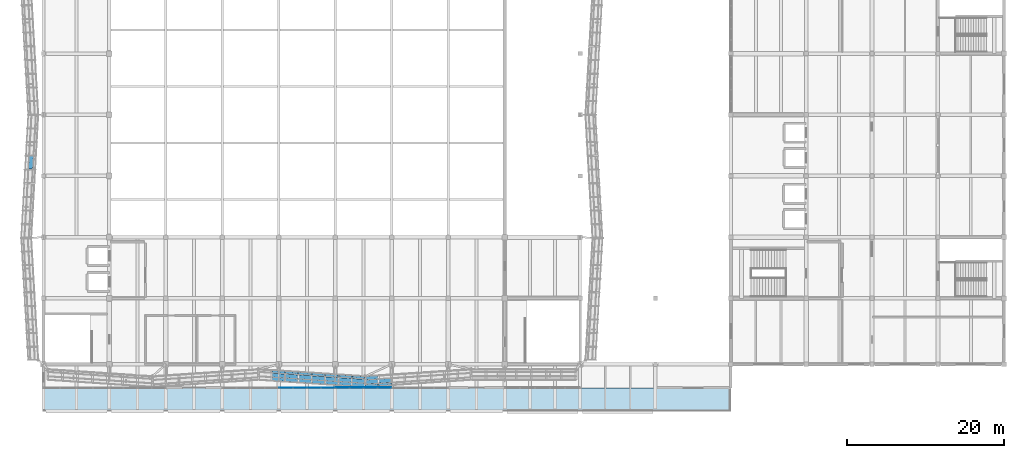
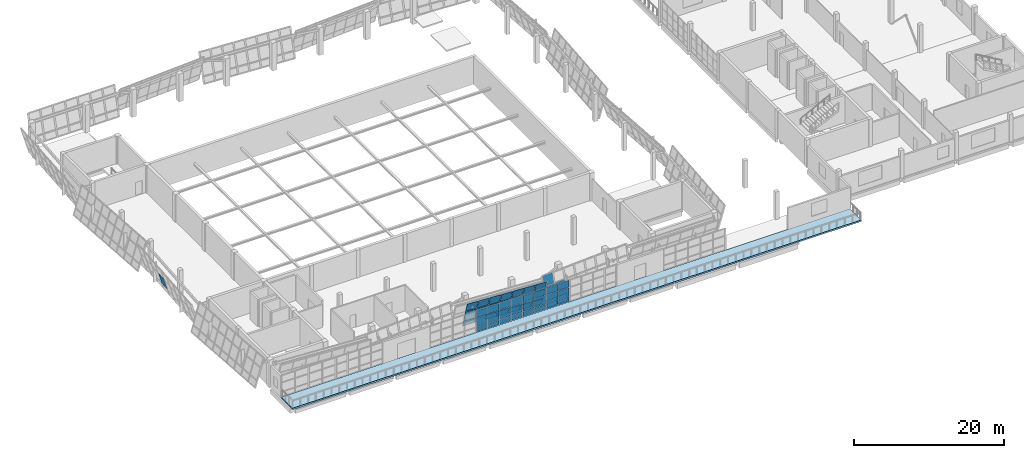
# One storey, part 36 of 67: 51 plates, 1 slab, 5 elements without a shape of their own.
"""IFC4 building model written with IfcOpenShell, lengths in metres."""

from ifc_helpers import new_model, si_unit, direction, frame, origin, place, context, subcontext, project, spatial, polyline, outline, extrude, material, layer, layer_set, type_object, element, aggregate, save


model = new_model("IFC4")

# Units and contexts
model_context = context("Model", 3, precision=1e-05, world=origin(), true_north=direction((0.0, 1.0)))
body_context = subcontext(model_context, "Body", "Model", "MODEL_VIEW")
ifc_project = project(units=[si_unit("LENGTHUNIT", "METRE"), si_unit("AREAUNIT", "SQUARE_METRE"), si_unit("VOLUMEUNIT", "CUBIC_METRE"), si_unit("PLANEANGLEUNIT", "RADIAN"), si_unit("MASSUNIT", "GRAM", prefix="KILO")], contexts=[model_context])

# Site, building, storey
site_placement = place(None, origin())
site = spatial("IfcSite", under=ifc_project, at=site_placement, CompositionType="ELEMENT")
building_placement = place(site_placement, origin())
building = spatial("IfcBuilding", under=site, at=building_placement, Name="Pellamere Symphony Hall", CompositionType="ELEMENT")
storey_placement = place(building_placement, frame((0.0, 0.0, 19.5)))
storey = spatial("IfcBuildingStorey", under=building, at=storey_placement, Name="L04", CompositionType="ELEMENT", Elevation=19.5)

# Curtain wall, plates
ifc_material_1 = material(Name="Thermally Broken Anodised Aluminium 6063-T6 Curtain Wall", Category="aluminium")
curtain_wall_type_1 = type_object("IfcCurtainWallType", Name="Curtain Wall CW-06 (Belvedere Terrace Clerestory Curtain Wall)", PredefinedType="NOTDEFINED", material=ifc_material_1)
curtain_wall_1_placement = place(storey_placement, origin())
curtain_wall_1 = element("IfcCurtainWall", 1, at=curtain_wall_1_placement, inside=storey, type_object=curtain_wall_type_1, Name="Winter-Garden South Curtain Wall (L04 Bay 5)", PredefinedType="NOTDEFINED")
ifc_material_2 = material(Name="Triple Low-E Argon Acoustic Glazing 36mm", Category="glass")
ifc_layer_1 = layer(ifc_material_2, 0.035888671875, Name="Triple Low-E Argon Acoustic Glazing 36mm")
ifc_layer_set_1 = layer_set([ifc_layer_1], Name="Triple Low-E Argon Acoustic Glazing 36mm")
plate_type_1 = type_object("IfcPlateType", Name="Facade Panel GL-01 36mm", PredefinedType="CURTAIN_PANEL", material=ifc_layer_set_1)
plate_1_placement = place(storey_placement, frame((80.465087890625, 27.0, 0.06494140625), z_axis=(0.0, -1.0, 0.0), x_axis=(1.0, 0.0, 0.0)))
plate_1 = element("IfcPlate", 2, at=plate_1_placement, type_object=plate_type_1, Name="CW2-098 crystal glass panel 1.1", PredefinedType="CURTAIN_PANEL", context=body_context, shape_type="SweptSolid", body=[
    extrude(outline(polyline([(0.0, 0.0), (1.702392578125, 0.0), (1.702392578125, 0.76123046875), (0.0, 0.76123046875), (0.0, 0.0)])), origin(), (0.0, 0.0, -1.0), 0.035888671875),
])
plate_2_placement = place(storey_placement, frame((80.465087890625, 27.0, 0.89111328125), z_axis=(0.0, -1.0, 0.0), x_axis=(1.0, 0.0, 0.0)))
plate_2 = element("IfcPlate", 3, at=plate_2_placement, type_object=plate_type_1, Name="CW2-098 crystal glass panel 1.2", PredefinedType="CURTAIN_PANEL", context=body_context, shape_type="SweptSolid", body=[
    extrude(outline(polyline([(0.0, 0.0), (1.702392578125, 0.0), (1.702392578125, 1.4375), (0.0, 1.4375), (0.0, 0.0)])), origin(), (0.0, 0.0, -1.0), 0.035888671875),
])
plate_3_placement = place(storey_placement, frame((80.465087890625, 27.0, 2.3935546875), z_axis=(0.0, -1.0, 0.0), x_axis=(1.0, 0.0, 0.0)))
plate_3 = element("IfcPlate", 4, at=plate_3_placement, type_object=plate_type_1, Name="CW2-098 crystal glass panel 1.3", PredefinedType="CURTAIN_PANEL", context=body_context, shape_type="SweptSolid", body=[
    extrude(outline(polyline([(0.0, 0.0), (1.702392578125, 0.0), (1.702392578125, 1.118896484375), (0.0, 1.118896484375), (0.0, 0.0)])), origin(), (0.0, 0.0, -1.0), 0.035888671875),
])
plate_4_placement = place(storey_placement, frame((82.232421875, 27.0, 0.06494140625), z_axis=(0.0, -1.0, 0.0), x_axis=(1.0, 0.0, 0.0)))
plate_4 = element("IfcPlate", 5, at=plate_4_placement, type_object=plate_type_1, Name="CW2-098 crystal glass panel 2.1", PredefinedType="CURTAIN_PANEL", context=body_context, shape_type="SweptSolid", body=[
    extrude(outline(polyline([(0.0, 0.0), (1.735107421875, 0.0), (1.735107421875, 0.76123046875), (0.0, 0.76123046875), (0.0, 0.0)])), origin(), (0.0, 0.0, -1.0), 0.035888671875),
])
plate_5_placement = place(storey_placement, frame((82.232421875, 27.0, 0.89111328125), z_axis=(0.0, -1.0, 0.0), x_axis=(1.0, 0.0, 0.0)))
plate_5 = element("IfcPlate", 6, at=plate_5_placement, type_object=plate_type_1, Name="CW2-098 crystal glass panel 2.2", PredefinedType="CURTAIN_PANEL", context=body_context, shape_type="SweptSolid", body=[
    extrude(outline(polyline([(0.0, 0.0), (1.735107421875, 0.0), (1.735107421875, 1.4375), (0.0, 1.4375), (0.0, 0.0)])), origin(), (0.0, 0.0, -1.0), 0.035888671875),
])
plate_6_placement = place(storey_placement, frame((82.232421875, 27.0, 2.3935546875), z_axis=(0.0, -1.0, 0.0), x_axis=(1.0, 0.0, 0.0)))
plate_6 = element("IfcPlate", 7, at=plate_6_placement, type_object=plate_type_1, Name="CW2-098 crystal glass panel 2.3", PredefinedType="CURTAIN_PANEL", context=body_context, shape_type="SweptSolid", body=[
    extrude(outline(polyline([(0.0, 0.0), (1.735107421875, 0.0), (1.735107421875, 1.118896484375), (0.0, 1.118896484375), (0.0, 0.0)])), origin(), (0.0, 0.0, -1.0), 0.035888671875),
])
plate_7_placement = place(storey_placement, frame((84.032470703125, 27.0, 0.06494140625), z_axis=(0.0, -1.0, 0.0), x_axis=(1.0, 0.0, 0.0)))
plate_7 = element("IfcPlate", 8, at=plate_7_placement, type_object=plate_type_1, Name="CW2-098 crystal glass panel 3.1", PredefinedType="CURTAIN_PANEL", context=body_context, shape_type="SweptSolid", body=[
    extrude(outline(polyline([(0.0, 0.0), (1.735107421875, 0.0), (1.735107421875, 0.76123046875), (0.0, 0.76123046875), (0.0, 0.0)])), origin(), (0.0, 0.0, -1.0), 0.035888671875),
])
plate_8_placement = place(storey_placement, frame((84.032470703125, 27.0, 0.89111328125), z_axis=(0.0, -1.0, 0.0), x_axis=(1.0, 0.0, 0.0)))
plate_8 = element("IfcPlate", 9, at=plate_8_placement, type_object=plate_type_1, Name="CW2-098 crystal glass panel 3.2", PredefinedType="CURTAIN_PANEL", context=body_context, shape_type="SweptSolid", body=[
    extrude(outline(polyline([(0.0, 0.0), (1.735107421875, 0.0), (1.735107421875, 1.4375), (0.0, 1.4375), (0.0, 0.0)])), origin(), (0.0, 0.0, -1.0), 0.035888671875),
])
plate_9_placement = place(storey_placement, frame((84.032470703125, 27.0, 2.3935546875), z_axis=(0.0, -1.0, 0.0), x_axis=(1.0, 0.0, 0.0)))
plate_9 = element("IfcPlate", 10, at=plate_9_placement, type_object=plate_type_1, Name="CW2-098 crystal glass panel 3.3", PredefinedType="CURTAIN_PANEL", context=body_context, shape_type="SweptSolid", body=[
    extrude(outline(polyline([(0.0, 0.0), (1.735107421875, 0.0), (1.735107421875, 1.118896484375), (0.0, 1.118896484375), (0.0, 0.0)])), origin(), (0.0, 0.0, -1.0), 0.035888671875),
])
plate_10_placement = place(storey_placement, frame((85.83251953125, 27.0, 0.06494140625), z_axis=(0.0, -1.0, 0.0), x_axis=(1.0, 0.0, 0.0)))
plate_10 = element("IfcPlate", 11, at=plate_10_placement, type_object=plate_type_1, Name="CW2-098 crystal glass panel 4.1", PredefinedType="CURTAIN_PANEL", context=body_context, shape_type="SweptSolid", body=[
    extrude(outline(polyline([(0.0, 0.0), (1.702392578125, 0.0), (1.702392578125, 0.76123046875), (0.0, 0.76123046875), (0.0, 0.0)])), origin(), (0.0, 0.0, -1.0), 0.035888671875),
])
plate_11_placement = place(storey_placement, frame((85.83251953125, 27.0, 0.89111328125), z_axis=(0.0, -1.0, 0.0), x_axis=(1.0, 0.0, 0.0)))
plate_11 = element("IfcPlate", 12, at=plate_11_placement, type_object=plate_type_1, Name="CW2-098 crystal glass panel 4.2", PredefinedType="CURTAIN_PANEL", context=body_context, shape_type="SweptSolid", body=[
    extrude(outline(polyline([(0.0, 0.0), (1.702392578125, 0.0), (1.702392578125, 1.4375), (0.0, 1.4375), (0.0, 0.0)])), origin(), (0.0, 0.0, -1.0), 0.035888671875),
])
plate_12_placement = place(storey_placement, frame((85.83251953125, 27.0, 2.3935546875), z_axis=(0.0, -1.0, 0.0), x_axis=(1.0, 0.0, 0.0)))
plate_12 = element("IfcPlate", 13, at=plate_12_placement, type_object=plate_type_1, Name="CW2-098 crystal glass panel 4.3", PredefinedType="CURTAIN_PANEL", context=body_context, shape_type="SweptSolid", body=[
    extrude(outline(polyline([(0.0, 0.0), (1.702392578125, 0.0), (1.702392578125, 1.118896484375), (0.0, 1.118896484375), (0.0, 0.0)])), origin(), (0.0, 0.0, -1.0), 0.035888671875),
])
aggregate(curtain_wall_1, [plate_1, plate_2, plate_3, plate_4, plate_5, plate_6, plate_7, plate_8, plate_9, plate_10, plate_11, plate_12])

curtain_wall_type_2 = type_object("IfcCurtainWallType", Name="Curtain Wall CW-01 (Tilted Faceted Crystal Low-Iron Curtain Wall)", PredefinedType="NOTDEFINED", material=ifc_material_1)
curtain_wall_2_placement = place(storey_placement, origin())
curtain_wall_2 = element("IfcCurtainWall", 14, at=curtain_wall_2_placement, inside=storey, type_object=curtain_wall_type_2, Name="Crystal Faceted Curtain Wall CW-CR04 (L04)", PredefinedType="NOTDEFINED")
ifc_material_3 = material(Name="Triple Laminated Acoustic Crystal Glazing 42mm", Category="glass")
ifc_layer_2 = layer(ifc_material_3, 0.0419921875, Name="Triple Laminated Acoustic Crystal Glazing 42mm")
ifc_layer_set_2 = layer_set([ifc_layer_2], Name="Triple Laminated Acoustic Crystal Glazing 42mm")
plate_type_2 = type_object("IfcPlateType", Name="Facade Panel GL-02 42mm", PredefinedType="CURTAIN_PANEL", material=ifc_layer_set_2)
plate_13_placement = place(storey_placement, frame((91.474853515625, 27.143310546875, 0.072021484375), z_axis=(0.063844090226, -0.956845691375, 0.283496481531), x_axis=(0.997781805309, 0.066569276349, -2.0975043e-05)))
plate_13 = element("IfcPlate", 15, at=plate_13_placement, type_object=plate_type_2, Name="CW1-004 crystal glass panel 1.1", PredefinedType="CURTAIN_PANEL", context=body_context, shape_type="SweptSolid", body=[
    extrude(outline(polyline([(0.0, 0.0), (1.5786896964565678, 0.0), (1.5978469826982709, 1.0135395501920235), (0.01914103397696952, 1.0134704903848277), (0.0, 0.0)])), origin(), (0.0, 0.0, -1.0), 0.0419921875),
])
plate_14_placement = place(storey_placement, frame((91.474853515625, 27.45263671875, 1.115966796875), z_axis=(0.063771203847, -0.95686466795, 0.283448832751), x_axis=(0.997786526209, 0.066498482063, 0.0)))
plate_14 = element("IfcPlate", 16, at=plate_14_placement, type_object=plate_type_2, Name="CW1-004 crystal glass panel 1.2", PredefinedType="CURTAIN_PANEL", context=body_context, shape_type="SweptSolid", body=[
    extrude(outline(polyline([(0.0, 0.0), (1.578689700777497, 0.0), (1.6145040688025716, 1.8958698598826869), (0.03581436802507452, 1.8958698598826869), (0.0, 0.0)])), origin(), (0.0, 0.0, -1.0), 0.0419921875),
])
plate_15_placement = place(storey_placement, frame((91.474853515625, 28.012451171875, 3.005859375), z_axis=(0.0638451148, -0.956861046897, 0.28344441827), x_axis=(0.997781805158, 0.066569278622, -2.0971528e-05)))
plate_15 = element("IfcPlate", 17, at=plate_15_placement, type_object=plate_type_2, Name="CW1-004 crystal glass panel 1.3", PredefinedType="CURTAIN_PANEL", context=body_context, shape_type="SweptSolid", body=[
    extrude(outline(polyline([(0.0, 0.0), (1.5786896964564288, -3.469446951953614e-18), (1.6067112823335943, 1.4829714744230782), (0.02800533361187704, 1.4829024272985047), (0.0, 0.0)])), origin(), (0.0, 0.0, -1.0), 0.0419921875),
])
plate_16_placement = place(storey_placement, frame((93.125, 27.25341796875, 0.072021484375), z_axis=(0.063744012611, -0.956884552951, 0.283387814099), x_axis=(0.997788498757, 0.06646887804, 0.0)))
plate_16 = element("IfcPlate", 18, at=plate_16_placement, type_object=plate_type_2, Name="CW1-004 crystal glass panel 2.1", PredefinedType="CURTAIN_PANEL", context=body_context, shape_type="SweptSolid", body=[
    extrude(outline(polyline([(0.0, 0.0), (1.616122885895694, -3.469446951953614e-18), (1.6352554071869476, 1.0134706578556791), (0.019132521291253642, 1.0134706578556791), (0.0, 0.0)])), origin(), (0.0, 0.0, -1.0), 0.0419921875),
])
plate_17_placement = place(storey_placement, frame((93.125, 27.5625, 1.115966796875), z_axis=(0.063887083219, -0.956857561593, 0.283446727659), x_axis=(0.997778468566, 0.06661927398, 0.0)))
plate_17 = element("IfcPlate", 19, at=plate_17_placement, type_object=plate_type_2, Name="CW1-004 crystal glass panel 2.2", PredefinedType="CURTAIN_PANEL", context=body_context, shape_type="SweptSolid", body=[
    extrude(outline(polyline([(0.0, 0.0), (1.6161391320080933, 0.0), (1.6520185554455487, 1.8958686298218108), (0.03587942343745519, 1.8958686298218108), (0.0, 0.0)])), origin(), (0.0, 0.0, -1.0), 0.0419921875),
])
aggregate(curtain_wall_2, [plate_13, plate_14, plate_15, plate_16, plate_17])

curtain_wall_3_placement = place(storey_placement, origin())
curtain_wall_3 = element("IfcCurtainWall", 20, at=curtain_wall_3_placement, inside=storey, type_object=curtain_wall_type_2, Name="Crystal Faceted Curtain Wall CW-CR03 (L04)", PredefinedType="NOTDEFINED")
ifc_material_4 = material(Name="Vacuum-Insulated Bronze-Anodised Aluminium Spandrel Panel", Category="aluminium")
ifc_layer_3 = layer(ifc_material_4, 0.06494140625, Name="Vacuum-Insulated Bronze-Anodised Aluminium Spandrel Panel")
ifc_layer_set_3 = layer_set([ifc_layer_3], Name="Vacuum-Insulated Bronze-Anodised Aluminium Spandrel Panel")
plate_type_3 = type_object("IfcPlateType", Name="Facade Panel SP-01 65mm", PredefinedType="CURTAIN_PANEL", material=ifc_layer_set_3)
plate_18_placement = place(storey_placement, frame((79.537353515625, 29.213623046875, 0.072021484375), z_axis=(0.063317514813, 0.956877857224, 0.283506011704), x_axis=(0.997818262866, -0.066020556476, -2.033123e-05)))
plate_18 = element("IfcPlate", 21, at=plate_18_placement, type_object=plate_type_3, Name="CW1-003 crystal glass panel 2.1", PredefinedType="CURTAIN_PANEL", context=body_context, shape_type="SweptSolid", body=[
    extrude(outline(polyline([(0.0, 0.0), (1.6287903370970371, -6.938893903907228e-18), (1.6477901705969515, -1.0135425140297043), (0.01898371519999343, -1.0134734493901942), (0.0, 0.0)])), origin(), (0.0, 0.0, -1.0), 0.06494140625),
])
plate_19_placement = place(storey_placement, frame((79.537353515625, 28.904541015625, 1.115966796875), z_axis=(0.063390053523, 0.956887950799, 0.283455729752), x_axis=(0.9978129259, -0.066101171747, 0.0)))
plate_19 = element("IfcPlate", 22, at=plate_19_placement, type_object=plate_type_3, Name="CW1-003 crystal glass panel 2.2", PredefinedType="CURTAIN_PANEL", context=body_context, shape_type="SweptSolid", body=[
    extrude(outline(polyline([(0.0, 0.0), (1.6288064610494575, 0.0), (1.6644068479817382, -1.8958738900620224), (0.03560038693228082, -1.8958738900620224), (0.0, 0.0)])), origin(), (0.0, 0.0, -1.0), 0.06494140625),
])
plate_20_placement = place(storey_placement, frame((79.537353515625, 28.344482421875, 3.005859375), z_axis=(0.063318531004, 0.956893214294, 0.283453946998), x_axis=(0.99781826272, -0.066020558679, -2.0327822e-05)))
plate_20 = element("IfcPlate", 23, at=plate_20_placement, type_object=plate_type_3, Name="CW1-003 crystal glass panel 2.3", PredefinedType="CURTAIN_PANEL", context=body_context, shape_type="SweptSolid", body=[
    extrude(outline(polyline([(0.0, 0.0), (1.628790337096903, 3.469446951953614e-18), (1.6565816151032986, -1.4829758083304945), (0.027775159705936955, -1.4829067563744196), (0.0, 0.0)])), origin(), (0.0, 0.0, -1.0), 0.06494140625),
])
plate_21_placement = place(storey_placement, frame((81.2373046875, 29.101318359375, 0.072021484375), z_axis=(0.063317514813, 0.956877857224, 0.283506011704), x_axis=(0.997817469146, -0.066032551464, 2.0331029e-05)))
plate_21 = element("IfcPlate", 24, at=plate_21_placement, type_object=plate_type_3, Name="CW1-003 crystal glass panel 3.1", PredefinedType="CURTAIN_PANEL", context=body_context, shape_type="SweptSolid", body=[
    extrude(outline(polyline([(0.0, 0.0), (1.6288064568611973, 3.469446951953614e-18), (1.6478331453379382, -1.0134726435317643), (0.019042809705125566, -1.0135417074877644), (0.0, 0.0)])), origin(), (0.0, 0.0, -1.0), 0.06494140625),
])
plate_22_placement = place(storey_placement, frame((81.2373046875, 28.7919921875, 1.115966796875), z_axis=(0.063390053523, 0.956887950799, 0.283455729752), x_axis=(0.9978129259, -0.066101171747, 0.0)))
plate_22 = element("IfcPlate", 25, at=plate_22_placement, type_object=plate_type_3, Name="CW1-003 crystal glass panel 3.2", PredefinedType="CURTAIN_PANEL", context=body_context, shape_type="SweptSolid", body=[
    extrude(outline(polyline([(0.0, 0.0), (1.6288064610494575, 0.0), (1.6644068479817382, -1.8958738900620224), (0.03560038693228082, -1.8958738900620224), (0.0, 0.0)])), origin(), (0.0, 0.0, -1.0), 0.06494140625),
])
plate_23_placement = place(storey_placement, frame((81.2373046875, 28.232177734375, 3.005859375), z_axis=(0.063318531004, 0.956893214294, 0.283453946998), x_axis=(0.997817469292, -0.066032549261, 2.0327621e-05)))
plate_23 = element("IfcPlate", 26, at=plate_23_placement, type_object=plate_type_3, Name="CW1-003 crystal glass panel 3.3", PredefinedType="CURTAIN_PANEL", context=body_context, shape_type="SweptSolid", body=[
    extrude(outline(polyline([(0.0, 0.0), (1.628806456861063, -6.938893903907228e-18), (1.6566444831961924, -1.4829055775359932), (0.027854147562976436, -1.4829746288086836), (0.0, 0.0)])), origin(), (0.0, 0.0, -1.0), 0.06494140625),
])
plate_24_placement = place(storey_placement, frame((82.9375, 28.98876953125, 0.072021484375), z_axis=(0.063326989514, 0.956877280825, 0.283505840928), x_axis=(0.997816815435, -0.066042428945, 2.0334045e-05)))
plate_24 = element("IfcPlate", 27, at=plate_24_placement, type_object=plate_type_3, Name="CW1-003 crystal glass panel 4.1", PredefinedType="CURTAIN_PANEL", context=body_context, shape_type="SweptSolid", body=[
    extrude(outline(polyline([(0.0, 0.0), (1.628562850269172, 1.0408340855860843e-17), (1.6475923848299434, -1.0134725900960864), (0.019045658200650635, -1.0135416539651436), (0.0, 0.0)])), origin(), (0.0, 0.0, -1.0), 0.06494140625),
])
plate_25_placement = place(storey_placement, frame((82.9375, 28.679443359375, 1.115966796875), z_axis=(0.063256351764, 0.956896084869, 0.28345813928), x_axis=(0.997822148906, -0.065961800709, 0.0)))
plate_25 = element("IfcPlate", 28, at=plate_25_placement, type_object=plate_type_3, Name="CW1-003 crystal glass panel 4.2", PredefinedType="CURTAIN_PANEL", context=body_context, shape_type="SweptSolid", body=[
    extrude(outline(polyline([(0.0, 0.0), (1.6285467322826557, -3.469446951953614e-18), (1.6640720575668082, -1.8958752980700206), (0.03552532528415262, -1.8958752980700206), (0.0, 0.0)])), origin(), (0.0, 0.0, -1.0), 0.06494140625),
])
plate_26_placement = place(storey_placement, frame((82.9375, 28.11962890625, 3.005859375), z_axis=(0.063328005856, 0.956892637868, 0.283453776247), x_axis=(0.997816815581, -0.066042426742, 2.0330637e-05)))
plate_26 = element("IfcPlate", 29, at=plate_26_placement, type_object=plate_type_3, Name="CW1-003 crystal glass panel 4.3", PredefinedType="CURTAIN_PANEL", context=body_context, shape_type="SweptSolid", body=[
    extrude(outline(polyline([(0.0, 0.0), (1.6285628502690375, 3.469446951953614e-18), (1.6564050407214477, -1.482905499358749), (0.027858314091751737, -1.4829745505445109), (0.0, 0.0)])), origin(), (0.0, 0.0, -1.0), 0.06494140625),
])
plate_27_placement = place(storey_placement, frame((84.637451171875, 28.876220703125, 0.072021484375), z_axis=(0.063317514813, 0.956877857224, 0.283506011704), x_axis=(0.997817469146, -0.066032551464, 2.0331029e-05)))
plate_27 = element("IfcPlate", 30, at=plate_27_placement, type_object=plate_type_3, Name="CW1-003 crystal glass panel 5.1", PredefinedType="CURTAIN_PANEL", context=body_context, shape_type="SweptSolid", body=[
    extrude(outline(polyline([(0.0, 0.0), (1.6288064568611973, 3.469446951953614e-18), (1.6478331453379382, -1.0134726435317643), (0.019042809705125566, -1.0135417074877644), (0.0, 0.0)])), origin(), (0.0, 0.0, -1.0), 0.06494140625),
])
plate_28_placement = place(storey_placement, frame((84.637451171875, 28.56689453125, 1.115966796875), z_axis=(0.063246887547, 0.956896659994, 0.283458309648), x_axis=(0.997822801026, -0.065951935174, 0.0)))
plate_28 = element("IfcPlate", 31, at=plate_28_placement, type_object=plate_type_3, Name="CW1-003 crystal glass panel 5.2", PredefinedType="CURTAIN_PANEL", context=body_context, shape_type="SweptSolid", body=[
    extrude(outline(polyline([(0.0, 0.0), (1.628790341285339, 6.938893903907228e-18), (1.6643103532465653, -1.8958753976247777), (0.03552001196122634, -1.8958753976247777), (0.0, 0.0)])), origin(), (0.0, 0.0, -1.0), 0.06494140625),
])
plate_29_placement = place(storey_placement, frame((84.637451171875, 28.007080078125, 3.005859375), z_axis=(0.063318531004, 0.956893214294, 0.283453946998), x_axis=(0.99781826272, -0.066020558679, -2.0327822e-05)))
plate_29 = element("IfcPlate", 32, at=plate_29_placement, type_object=plate_type_3, Name="CW1-003 crystal glass panel 5.3", PredefinedType="CURTAIN_PANEL", context=body_context, shape_type="SweptSolid", body=[
    extrude(outline(polyline([(0.0, 0.0), (1.628790337096903, 3.469446951953614e-18), (1.6565816151032986, -1.4829758083304945), (0.027775159705936955, -1.4829067563744196), (0.0, 0.0)])), origin(), (0.0, 0.0, -1.0), 0.06494140625),
])
plate_30_placement = place(storey_placement, frame((86.33740234375, 28.763671875, 0.072021484375), z_axis=(0.063317514813, 0.956877857224, 0.283506011704), x_axis=(0.997818262866, -0.066020556476, -2.033123e-05)))
plate_30 = element("IfcPlate", 33, at=plate_30_placement, type_object=plate_type_3, Name="CW1-003 crystal glass panel 6.1", PredefinedType="CURTAIN_PANEL", context=body_context, shape_type="SweptSolid", body=[
    extrude(outline(polyline([(0.0, 0.0), (1.6287903370970371, -6.938893903907228e-18), (1.6477901705969515, -1.0135425140297043), (0.01898371519999343, -1.0134734493901942), (0.0, 0.0)])), origin(), (0.0, 0.0, -1.0), 0.06494140625),
])
plate_31_placement = place(storey_placement, frame((86.33740234375, 28.454345703125, 1.115966796875), z_axis=(0.063319624031, 0.956909732511, 0.283397934075), x_axis=(0.997818262564, -0.066020561048, -2.0324156e-05)))
plate_31 = element("IfcPlate", 34, at=plate_31_placement, type_object=plate_type_3, Name="CW1-003 crystal glass panel 6.2", PredefinedType="CURTAIN_PANEL", context=body_context, shape_type="SweptSolid", body=[
    extrude(outline(polyline([(0.0, 0.0), (1.628790337096758, -3.469446951953614e-18), (1.6643103575264884, -1.8958753938676103), (0.03550390212869337, -1.8958063555567923), (0.0, 0.0)])), origin(), (0.0, 0.0, -1.0), 0.06494140625),
])
plate_32_placement = place(storey_placement, frame((86.33740234375, 27.89453125, 3.005859375), z_axis=(0.063318531004, 0.956893214294, 0.283453946998), x_axis=(0.99781826272, -0.066020558679, -2.0327822e-05)))
plate_32 = element("IfcPlate", 35, at=plate_32_placement, type_object=plate_type_3, Name="CW1-003 crystal glass panel 6.3", PredefinedType="CURTAIN_PANEL", context=body_context, shape_type="SweptSolid", body=[
    extrude(outline(polyline([(0.0, 0.0), (1.628790337096903, 3.469446951953614e-18), (1.6565816151032986, -1.4829758083304945), (0.027775159705936955, -1.4829067563744196), (0.0, 0.0)])), origin(), (0.0, 0.0, -1.0), 0.06494140625),
])
plate_33_placement = place(storey_placement, frame((88.037353515625, 28.651123046875, 0.072021484375), z_axis=(0.063317514813, 0.956877857224, 0.283506011704), x_axis=(0.997818262866, -0.066020556476, -2.033123e-05)))
plate_33 = element("IfcPlate", 36, at=plate_33_placement, type_object=plate_type_3, Name="CW1-003 crystal glass panel 7.1", PredefinedType="CURTAIN_PANEL", context=body_context, shape_type="SweptSolid", body=[
    extrude(outline(polyline([(0.0, 0.0), (1.6287903370970371, -6.938893903907228e-18), (1.6477901705969515, -1.0135425140297043), (0.01898371519999343, -1.0134734493901942), (0.0, 0.0)])), origin(), (0.0, 0.0, -1.0), 0.06494140625),
])
plate_34_placement = place(storey_placement, frame((88.037353515625, 28.342041015625, 1.115966796875), z_axis=(0.063390053523, 0.956887950799, 0.283455729752), x_axis=(0.9978129259, -0.066101171747, 0.0)))
plate_34 = element("IfcPlate", 37, at=plate_34_placement, type_object=plate_type_3, Name="CW1-003 crystal glass panel 7.2", PredefinedType="CURTAIN_PANEL", context=body_context, shape_type="SweptSolid", body=[
    extrude(outline(polyline([(0.0, 0.0), (1.6288064610494575, 0.0), (1.6644068479817382, -1.8958738900620224), (0.03560038693228082, -1.8958738900620224), (0.0, 0.0)])), origin(), (0.0, 0.0, -1.0), 0.06494140625),
])
plate_35_placement = place(storey_placement, frame((88.037353515625, 27.781982421875, 3.005859375), z_axis=(0.063318531004, 0.956893214294, 0.283453946998), x_axis=(0.99781826272, -0.066020558679, -2.0327822e-05)))
plate_35 = element("IfcPlate", 38, at=plate_35_placement, type_object=plate_type_3, Name="CW1-003 crystal glass panel 7.3", PredefinedType="CURTAIN_PANEL", context=body_context, shape_type="SweptSolid", body=[
    extrude(outline(polyline([(0.0, 0.0), (1.628790337096903, 3.469446951953614e-18), (1.6565816151032986, -1.4829758083304945), (0.027775159705936955, -1.4829067563744196), (0.0, 0.0)])), origin(), (0.0, 0.0, -1.0), 0.06494140625),
])
plate_36_placement = place(storey_placement, frame((89.7373046875, 28.538818359375, 0.072021484375), z_axis=(0.063335707417, 0.95687675039, 0.283505683769), x_axis=(0.997816204619, -0.066051656808, 2.0809219e-05)))
plate_36 = element("IfcPlate", 39, at=plate_36_placement, type_object=plate_type_3, Name="CW1-003 crystal glass panel 8.1", PredefinedType="CURTAIN_PANEL", context=body_context, shape_type="SweptSolid", body=[
    extrude(outline(polyline([(0.0, 0.0), (1.5913732565734895, 0.0), (1.6104059091309946, -1.0134725315460256), (0.019048778450280347, -1.013541595327129), (0.0, 0.0)])), origin(), (0.0, 0.0, -1.0), 0.06494140625),
])
plate_37_placement = place(storey_placement, frame((89.7373046875, 28.2294921875, 1.115966796875), z_axis=(0.063337817237, 0.956908625567, 0.283397606242), x_axis=(0.997816204929, -0.066051652128, 2.0801979e-05)))
plate_37 = element("IfcPlate", 40, at=plate_37_placement, type_object=plate_type_3, Name="CW1-003 crystal glass panel 8.2", PredefinedType="CURTAIN_PANEL", context=body_context, shape_type="SweptSolid", body=[
    extrude(outline(polyline([(0.0, 0.0), (1.5913732565732042, 6.938893903907228e-18), (1.6269686680180981, -1.8958046395976542), (0.035611537336526826, -1.8958736770503872), (0.0, 0.0)])), origin(), (0.0, 0.0, -1.0), 0.06494140625),
])
plate_38_placement = place(storey_placement, frame((89.7373046875, 27.669677734375, 3.005859375), z_axis=(0.063336723899, 0.956892107407, 0.283453619113), x_axis=(0.997816204768, -0.066051654553, 2.0805731e-05)))
plate_38 = element("IfcPlate", 41, at=plate_38_placement, type_object=plate_type_3, Name="CW1-003 crystal glass panel 8.3", PredefinedType="CURTAIN_PANEL", context=body_context, shape_type="SweptSolid", body=[
    extrude(outline(polyline([(0.0, 0.0), (1.591373256573352, 0.0), (1.6192200088896131, -1.4829054137007727), (0.02786287820848608, -1.482974464798596), (0.0, 0.0)])), origin(), (0.0, 0.0, -1.0), 0.06494140625),
])
aggregate(curtain_wall_3, [plate_18, plate_19, plate_20, plate_21, plate_22, plate_23, plate_24, plate_25, plate_26, plate_27, plate_28, plate_29, plate_30, plate_31, plate_32, plate_33, plate_34, plate_35, plate_36, plate_37, plate_38])

# Curtain wall, plate
curtain_wall_4_placement = place(storey_placement, origin())
curtain_wall_4 = element("IfcCurtainWall", 42, at=curtain_wall_4_placement, inside=storey, type_object=curtain_wall_type_2, Name="Crystal Faceted Curtain Wall CW-CR17 (L04)", PredefinedType="NOTDEFINED")
plate_39_placement = place(storey_placement, frame((49.1171875, 56.529296875, 1.115966796875), z_axis=(0.957371585014, -0.054874932201, 0.283598995104), x_axis=(-0.057224396245, -0.998361341637, 0.0)))
plate_39 = element("IfcPlate", 43, at=plate_39_placement, type_object=plate_type_3, Name="CW1-051 crystal glass panel 4.2", PredefinedType="CURTAIN_PANEL", context=body_context, shape_type="SweptSolid", body=[
    extrude(outline(polyline([(0.0, 0.0), (1.6724182565382377, -3.469446951953614e-18), (1.703237841039485, -1.895957633434831), (0.030819584501247117, -1.895957633434831), (0.0, 0.0)])), origin(), (0.0, 0.0, -1.0), 0.06494140625),
])
aggregate(curtain_wall_4, [plate_39])

# Curtain wall, plates
curtain_wall_5_placement = place(storey_placement, origin())
curtain_wall_5 = element("IfcCurtainWall", 44, at=curtain_wall_5_placement, inside=storey, type_object=curtain_wall_type_1, Name="Winter-Garden South Curtain Wall (L04 Bay 6)", PredefinedType="NOTDEFINED")
ifc_material_5 = material(Name="Mineral-Wool Insulated Dark Zinc Spandrel Panel", Category="aluminium")
ifc_layer_4 = layer(ifc_material_5, 0.054931640625, Name="Mineral-Wool Insulated Dark Zinc Spandrel Panel")
ifc_layer_set_4 = layer_set([ifc_layer_4], Name="Mineral-Wool Insulated Dark Zinc Spandrel Panel")
plate_type_4 = type_object("IfcPlateType", Name="Facade Panel SP-02 55mm", PredefinedType="CURTAIN_PANEL", material=ifc_layer_set_4)
plate_40_placement = place(storey_placement, frame((87.6650390625, 27.0, 0.06494140625), z_axis=(0.0, -1.0, 0.0), x_axis=(1.0, 0.0, 0.0)))
plate_40 = element("IfcPlate", 45, at=plate_40_placement, type_object=plate_type_4, Name="CW2-099 crystal glass panel 1.1", PredefinedType="CURTAIN_PANEL", context=body_context, shape_type="SweptSolid", body=[
    extrude(outline(polyline([(0.0, 0.0), (1.702392578125, 0.0), (1.702392578125, 0.76123046875), (0.0, 0.76123046875), (0.0, 0.0)])), origin(), (0.0, 0.0, -1.0), 0.054931640625),
])
plate_41_placement = place(storey_placement, frame((87.6650390625, 27.0, 0.89111328125), z_axis=(0.0, -1.0, 0.0), x_axis=(1.0, 0.0, 0.0)))
plate_41 = element("IfcPlate", 46, at=plate_41_placement, type_object=plate_type_4, Name="CW2-099 crystal glass panel 1.2", PredefinedType="CURTAIN_PANEL", context=body_context, shape_type="SweptSolid", body=[
    extrude(outline(polyline([(0.0, 0.0), (1.702392578125, 0.0), (1.702392578125, 1.4375), (0.0, 1.4375), (0.0, 0.0)])), origin(), (0.0, 0.0, -1.0), 0.054931640625),
])
plate_42_placement = place(storey_placement, frame((87.6650390625, 27.0, 2.3935546875), z_axis=(0.0, -1.0, 0.0), x_axis=(1.0, 0.0, 0.0)))
plate_42 = element("IfcPlate", 47, at=plate_42_placement, type_object=plate_type_4, Name="CW2-099 crystal glass panel 1.3", PredefinedType="CURTAIN_PANEL", context=body_context, shape_type="SweptSolid", body=[
    extrude(outline(polyline([(0.0, 0.0), (1.702392578125, 0.0), (1.702392578125, 1.118896484375), (0.0, 1.118896484375), (0.0, 0.0)])), origin(), (0.0, 0.0, -1.0), 0.054931640625),
])
plate_43_placement = place(storey_placement, frame((89.4326171875, 27.0, 0.06494140625), z_axis=(0.0, -1.0, 0.0), x_axis=(1.0, 0.0, 0.0)))
plate_43 = element("IfcPlate", 48, at=plate_43_placement, type_object=plate_type_4, Name="CW2-099 crystal glass panel 2.1", PredefinedType="CURTAIN_PANEL", context=body_context, shape_type="SweptSolid", body=[
    extrude(outline(polyline([(0.0, 0.0), (1.73486328125, 0.0), (1.73486328125, 0.76123046875), (0.0, 0.76123046875), (0.0, 0.0)])), origin(), (0.0, 0.0, -1.0), 0.054931640625),
])
plate_44_placement = place(storey_placement, frame((89.4326171875, 27.0, 0.89111328125), z_axis=(0.0, -1.0, 0.0), x_axis=(1.0, 0.0, 0.0)))
plate_44 = element("IfcPlate", 49, at=plate_44_placement, type_object=plate_type_4, Name="CW2-099 crystal glass panel 2.2", PredefinedType="CURTAIN_PANEL", context=body_context, shape_type="SweptSolid", body=[
    extrude(outline(polyline([(0.0, 0.0), (1.73486328125, 0.0), (1.73486328125, 1.4375), (0.0, 1.4375), (0.0, 0.0)])), origin(), (0.0, 0.0, -1.0), 0.054931640625),
])
plate_45_placement = place(storey_placement, frame((89.4326171875, 27.0, 2.3935546875), z_axis=(0.0, -1.0, 0.0), x_axis=(1.0, 0.0, 0.0)))
plate_45 = element("IfcPlate", 50, at=plate_45_placement, type_object=plate_type_4, Name="CW2-099 crystal glass panel 2.3", PredefinedType="CURTAIN_PANEL", context=body_context, shape_type="SweptSolid", body=[
    extrude(outline(polyline([(0.0, 0.0), (1.73486328125, 0.0), (1.73486328125, 1.118896484375), (0.0, 1.118896484375), (0.0, 0.0)])), origin(), (0.0, 0.0, -1.0), 0.054931640625),
])
plate_46_placement = place(storey_placement, frame((91.232421875, 27.0, 0.06494140625), z_axis=(0.0, -1.0, 0.0), x_axis=(1.0, 0.0, 0.0)))
plate_46 = element("IfcPlate", 51, at=plate_46_placement, type_object=plate_type_4, Name="CW2-099 crystal glass panel 3.1", PredefinedType="CURTAIN_PANEL", context=body_context, shape_type="SweptSolid", body=[
    extrude(outline(polyline([(0.0, 0.0), (1.735107421875, 0.0), (1.735107421875, 0.76123046875), (0.0, 0.76123046875), (0.0, 0.0)])), origin(), (0.0, 0.0, -1.0), 0.054931640625),
])
plate_47_placement = place(storey_placement, frame((91.232421875, 27.0, 0.89111328125), z_axis=(0.0, -1.0, 0.0), x_axis=(1.0, 0.0, 0.0)))
plate_47 = element("IfcPlate", 52, at=plate_47_placement, type_object=plate_type_4, Name="CW2-099 crystal glass panel 3.2", PredefinedType="CURTAIN_PANEL", context=body_context, shape_type="SweptSolid", body=[
    extrude(outline(polyline([(0.0, 0.0), (1.735107421875, 0.0), (1.735107421875, 1.4375), (0.0, 1.4375), (0.0, 0.0)])), origin(), (0.0, 0.0, -1.0), 0.054931640625),
])
plate_48_placement = place(storey_placement, frame((91.232421875, 27.0, 2.3935546875), z_axis=(0.0, -1.0, 0.0), x_axis=(1.0, 0.0, 0.0)))
plate_48 = element("IfcPlate", 53, at=plate_48_placement, type_object=plate_type_4, Name="CW2-099 crystal glass panel 3.3", PredefinedType="CURTAIN_PANEL", context=body_context, shape_type="SweptSolid", body=[
    extrude(outline(polyline([(0.0, 0.0), (1.735107421875, 0.0), (1.735107421875, 1.118896484375), (0.0, 1.118896484375), (0.0, 0.0)])), origin(), (0.0, 0.0, -1.0), 0.054931640625),
])
plate_49_placement = place(storey_placement, frame((93.032470703125, 27.0, 0.06494140625), z_axis=(0.0, -1.0, 0.0), x_axis=(1.0, 0.0, 0.0)))
plate_49 = element("IfcPlate", 54, at=plate_49_placement, type_object=plate_type_4, Name="CW2-099 crystal glass panel 4.1", PredefinedType="CURTAIN_PANEL", context=body_context, shape_type="SweptSolid", body=[
    extrude(outline(polyline([(0.0, 0.0), (1.70263671875, 0.0), (1.70263671875, 0.76123046875), (0.0, 0.76123046875), (0.0, 0.0)])), origin(), (0.0, 0.0, -1.0), 0.054931640625),
])
plate_50_placement = place(storey_placement, frame((93.032470703125, 27.0, 0.89111328125), z_axis=(0.0, -1.0, 0.0), x_axis=(1.0, 0.0, 0.0)))
plate_50 = element("IfcPlate", 55, at=plate_50_placement, type_object=plate_type_4, Name="CW2-099 crystal glass panel 4.2", PredefinedType="CURTAIN_PANEL", context=body_context, shape_type="SweptSolid", body=[
    extrude(outline(polyline([(0.0, 0.0), (1.70263671875, 0.0), (1.70263671875, 1.4375), (0.0, 1.4375), (0.0, 0.0)])), origin(), (0.0, 0.0, -1.0), 0.054931640625),
])
plate_51_placement = place(storey_placement, frame((93.032470703125, 27.0, 2.3935546875), z_axis=(0.0, -1.0, 0.0), x_axis=(1.0, 0.0, 0.0)))
plate_51 = element("IfcPlate", 56, at=plate_51_placement, type_object=plate_type_4, Name="CW2-099 crystal glass panel 4.3", PredefinedType="CURTAIN_PANEL", context=body_context, shape_type="SweptSolid", body=[
    extrude(outline(polyline([(0.0, 0.0), (1.70263671875, 0.0), (1.70263671875, 1.118896484375), (0.0, 1.118896484375), (0.0, 0.0)])), origin(), (0.0, 0.0, -1.0), 0.054931640625),
])
aggregate(curtain_wall_5, [plate_40, plate_41, plate_42, plate_43, plate_44, plate_45, plate_46, plate_47, plate_48, plate_49, plate_50, plate_51])

# Slab
ifc_material_6 = material(Name="Concrete 40 MPa", Category="concrete")
ifc_layer_5 = layer(ifc_material_6, 0.25, Name="Concrete 40 MPa")
ifc_layer_set_5 = layer_set([ifc_layer_5], Name="Concrete 40 MPa")
slab_type = type_object("IfcSlabType", Name="Structural Slab TS-02 250mm", PredefinedType="ROOF", material=ifc_layer_set_5)
slab_placement = place(storey_placement, frame((0.0, 0.0, -0.25)))
element("IfcSlab", 57, at=slab_placement, inside=storey, type_object=slab_type, Name="Belvedere Roof Terrace Step 3 1", PredefinedType="ROOF", context=body_context, shape_type="SweptSolid", body=[
    extrude(outline(polyline([(50.39990234375, 24.0), (50.39990234375, 27.0), (138.0, 27.0), (138.0, 24.0), (50.39990234375, 24.0)])), origin(), (0.0, 0.0, 1.0), 0.25),
])

save(model, "model.ifc")
